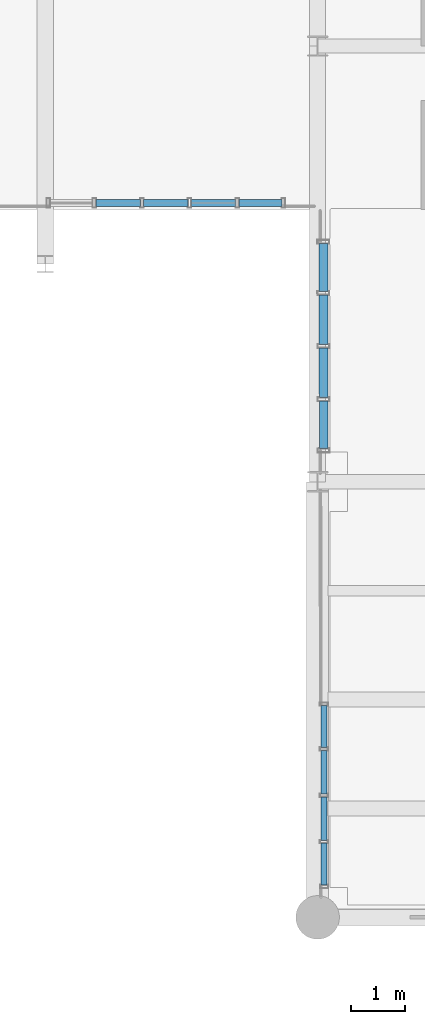
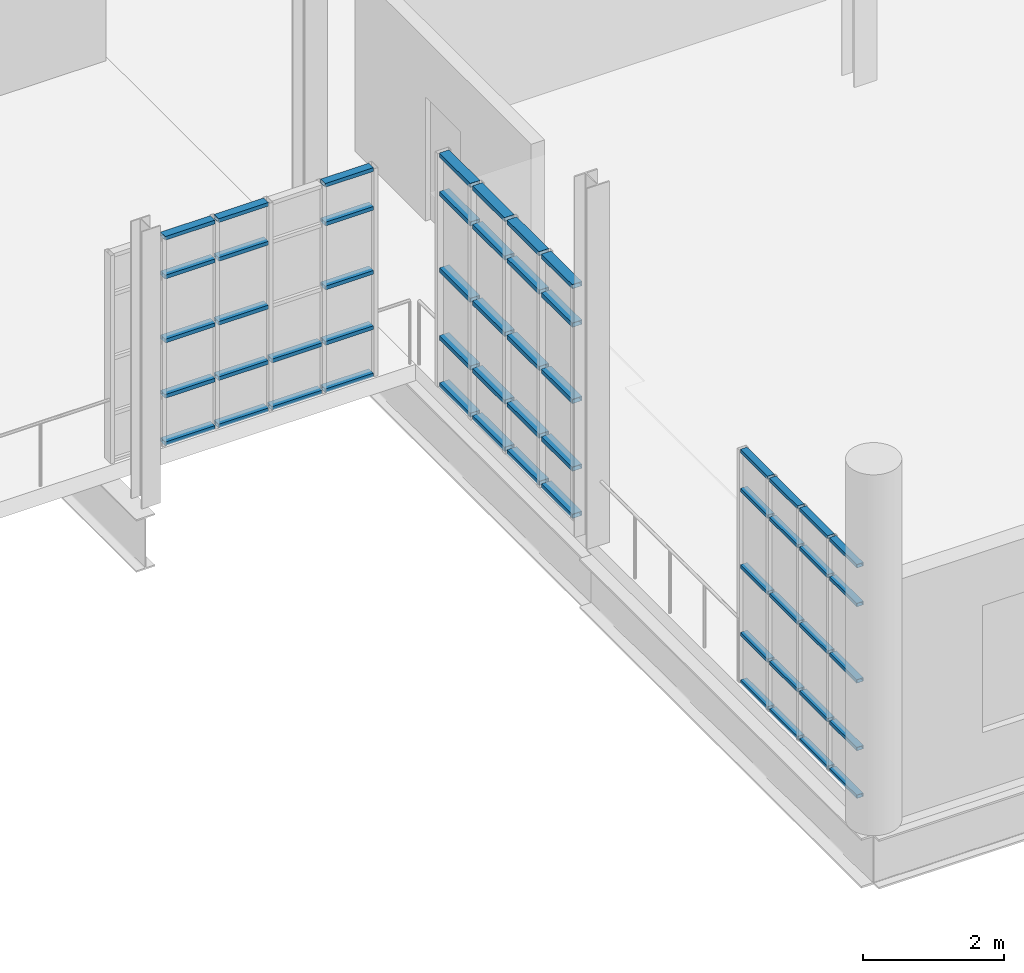
# One storey, part 76 of 118: 57 members, 3 elements without a shape of their own.
"""IFC4 building model written with IfcOpenShell, lengths in metres."""

from ifc_helpers import new_model, si_unit, direction, frame, origin, origin_2d, place, context, subcontext, project, spatial, hollow_rectangle, extrude, material, layer, layer_set, material_profile, profile_set, type_object, element, aggregate, save


model = new_model("IFC4")

# Units and contexts
model_context = context("Model", 3, precision=1e-05, world=origin(), true_north=direction((0.0, 1.0)))
body_context = subcontext(model_context, "Body", "Model", "MODEL_VIEW")
ifc_project = project(units=[si_unit("LENGTHUNIT", "METRE"), si_unit("AREAUNIT", "SQUARE_METRE"), si_unit("VOLUMEUNIT", "CUBIC_METRE"), si_unit("PLANEANGLEUNIT", "RADIAN"), si_unit("MASSUNIT", "GRAM", prefix="KILO"), si_unit("THERMODYNAMICTEMPERATUREUNIT", "KELVIN"), si_unit("POWERUNIT", "WATT")], contexts=[model_context])

# Site, building, storey
site_placement = place(None, origin())
site = spatial("IfcSite", under=ifc_project, at=site_placement, CompositionType="ELEMENT")
building_placement = place(site_placement, origin())
building = spatial("IfcBuilding", under=site, at=building_placement, Name="Zelmaris Science Centre", CompositionType="ELEMENT")
storey_placement = place(building_placement, frame((0.0, 0.0, 15.60009765625)))
storey = spatial("IfcBuildingStorey", under=building, at=storey_placement, Name="L03", CompositionType="ELEMENT", Elevation=15.60009765625)

# Curtain wall, members
ifc_material = material(Name="Anodised architectural aluminium 6063-T6", Category="aluminium")
ifc_layer_1 = layer(ifc_material, 0.219970703125, Name="Anodised architectural aluminium 6063-T6")
ifc_layer_set_1 = layer_set([ifc_layer_1], Name="Anodised architectural aluminium 6063-T6")
curtain_wall_type_1 = type_object("IfcCurtainWallType", Name="Curtain Wall CW-04", PredefinedType="USERDEFINED", material=ifc_layer_set_1)
curtain_wall_1_placement = place(storey_placement, origin())
curtain_wall_1 = element("IfcCurtainWall", 1, at=curtain_wall_1_placement, inside=storey, type_object=curtain_wall_type_1, Name="L03 Unitised curtain wall 308", ObjectType="GLAZED CURTAIN WALL", PredefinedType="USERDEFINED")
ifc_material_profile_1 = material_profile(ifc_material, hollow_rectangle(XDim=0.06005859375, YDim=0.110107421875, WallThickness=0.0029296875, at=origin_2d()), Name="ALU-TRN-60X110")
ifc_profile_set_1 = profile_set([ifc_material_profile_1], Name="Anodised architectural aluminium 6063-T6")
member_type_1 = type_object("IfcMemberType", Name="ALU-TRN-60X110", PredefinedType="USERDEFINED", material=ifc_profile_set_1)
member_1_placement = place(storey_placement, frame((108.119384765625, 8.59228515625, 0.010986328125), z_axis=(-0.000948766176, 0.999999549921, 0.0), x_axis=(0.0, 0.0, 1.0)))
member_1 = element("IfcMember", 2, at=member_1_placement, type_object=member_type_1, Name="CW-04 transom 1.1", ObjectType="TRANSOM", PredefinedType="USERDEFINED", context=body_context, shape_type="SweptSolid", body=[
    extrude(hollow_rectangle(XDim=0.06005859375, YDim=0.110107421875, WallThickness=0.0029296875, at=origin_2d()), origin(), (0.0, 0.0, 1.0), 0.77197265625),
])
member_2_placement = place(storey_placement, frame((108.119384765625, 8.59228515625, 0.8349609375), z_axis=(-0.000948766176, 0.999999549921, 0.0), x_axis=(0.0, 0.0, 1.0)))
member_2 = element("IfcMember", 3, at=member_2_placement, type_object=member_type_1, Name="CW-04 transom 1.2", ObjectType="TRANSOM", PredefinedType="USERDEFINED", context=body_context, shape_type="SweptSolid", body=[
    extrude(hollow_rectangle(XDim=0.06005859375, YDim=0.110107421875, WallThickness=0.0029296875, at=origin_2d()), origin(), (0.0, 0.0, 1.0), 0.77197265625),
])
member_3_placement = place(storey_placement, frame((108.119384765625, 8.59228515625, 2.00732421875), z_axis=(-0.000948766176, 0.999999549921, 0.0), x_axis=(0.0, 0.0, 1.0)))
member_3 = element("IfcMember", 4, at=member_3_placement, type_object=member_type_1, Name="CW-04 transom 1.3", ObjectType="TRANSOM", PredefinedType="USERDEFINED", context=body_context, shape_type="SweptSolid", body=[
    extrude(hollow_rectangle(XDim=0.06005859375, YDim=0.110107421875, WallThickness=0.0029296875, at=origin_2d()), origin(), (0.0, 0.0, 1.0), 0.77197265625),
])
member_4_placement = place(storey_placement, frame((108.119384765625, 8.59228515625, 3.329833984375), z_axis=(-0.000948766176, 0.999999549921, 0.0), x_axis=(0.0, 0.0, 1.0)))
member_4 = element("IfcMember", 5, at=member_4_placement, type_object=member_type_1, Name="CW-04 transom 1.4", ObjectType="TRANSOM", PredefinedType="USERDEFINED", context=body_context, shape_type="SweptSolid", body=[
    extrude(hollow_rectangle(XDim=0.06005859375, YDim=0.110107421875, WallThickness=0.0029296875, at=origin_2d()), origin(), (0.0, 0.0, 1.0), 0.77197265625),
])
member_5_placement = place(storey_placement, frame((108.119384765625, 8.59228515625, 4.00390625), z_axis=(-0.000948766176, 0.999999549921, 0.0), x_axis=(0.0, 0.0, 1.0)))
member_5 = element("IfcMember", 6, at=member_5_placement, type_object=member_type_1, Name="CW-04 transom 1.5", ObjectType="TRANSOM", PredefinedType="USERDEFINED", context=body_context, shape_type="SweptSolid", body=[
    extrude(hollow_rectangle(XDim=0.06005859375, YDim=0.110107421875, WallThickness=0.0029296875, at=origin_2d()), origin(), (0.0, 0.0, 1.0), 0.77197265625),
])
member_6_placement = place(storey_placement, frame((108.11865234375, 9.416259765625, 0.010986328125), z_axis=(-0.001223989291, 0.999999250925, 0.0), x_axis=(0.0, 0.0, 1.0)))
member_6 = element("IfcMember", 7, at=member_6_placement, type_object=member_type_1, Name="CW-04 transom 2.1", ObjectType="TRANSOM", PredefinedType="USERDEFINED", context=body_context, shape_type="SweptSolid", body=[
    extrude(hollow_rectangle(XDim=0.06005859375, YDim=0.110107421875, WallThickness=0.0029296875, at=origin_2d()), origin(), (0.0, 0.0, 1.0), 0.7978515625),
])
member_7_placement = place(storey_placement, frame((108.11865234375, 9.416259765625, 0.8349609375), z_axis=(-0.001223989291, 0.999999250925, 0.0), x_axis=(0.0, 0.0, 1.0)))
member_7 = element("IfcMember", 8, at=member_7_placement, type_object=member_type_1, Name="CW-04 transom 2.2", ObjectType="TRANSOM", PredefinedType="USERDEFINED", context=body_context, shape_type="SweptSolid", body=[
    extrude(hollow_rectangle(XDim=0.06005859375, YDim=0.110107421875, WallThickness=0.0029296875, at=origin_2d()), origin(), (0.0, 0.0, 1.0), 0.7978515625),
])
member_8_placement = place(storey_placement, frame((108.11865234375, 9.416259765625, 2.00732421875), z_axis=(-0.001223989291, 0.999999250925, 0.0), x_axis=(0.0, 0.0, 1.0)))
member_8 = element("IfcMember", 9, at=member_8_placement, type_object=member_type_1, Name="CW-04 transom 2.3", ObjectType="TRANSOM", PredefinedType="USERDEFINED", context=body_context, shape_type="SweptSolid", body=[
    extrude(hollow_rectangle(XDim=0.06005859375, YDim=0.110107421875, WallThickness=0.0029296875, at=origin_2d()), origin(), (0.0, 0.0, 1.0), 0.7978515625),
])
member_9_placement = place(storey_placement, frame((108.11865234375, 9.416259765625, 3.329833984375), z_axis=(-0.001223989291, 0.999999250925, 0.0), x_axis=(0.0, 0.0, 1.0)))
member_9 = element("IfcMember", 10, at=member_9_placement, type_object=member_type_1, Name="CW-04 transom 2.4", ObjectType="TRANSOM", PredefinedType="USERDEFINED", context=body_context, shape_type="SweptSolid", body=[
    extrude(hollow_rectangle(XDim=0.06005859375, YDim=0.110107421875, WallThickness=0.0029296875, at=origin_2d()), origin(), (0.0, 0.0, 1.0), 0.7978515625),
])
member_10_placement = place(storey_placement, frame((108.11865234375, 9.416259765625, 4.00390625), z_axis=(-0.001223989291, 0.999999250925, 0.0), x_axis=(0.0, 0.0, 1.0)))
member_10 = element("IfcMember", 11, at=member_10_placement, type_object=member_type_1, Name="CW-04 transom 2.5", ObjectType="TRANSOM", PredefinedType="USERDEFINED", context=body_context, shape_type="SweptSolid", body=[
    extrude(hollow_rectangle(XDim=0.06005859375, YDim=0.110107421875, WallThickness=0.0029296875, at=origin_2d()), origin(), (0.0, 0.0, 1.0), 0.7978515625),
])
member_11_placement = place(storey_placement, frame((108.11767578125, 10.26611328125, 0.010986328125), z_axis=(-0.000917711452, 0.999999578903, 0.0), x_axis=(0.0, 0.0, 1.0)))
member_11 = element("IfcMember", 12, at=member_11_placement, type_object=member_type_1, Name="CW-04 transom 3.1", ObjectType="TRANSOM", PredefinedType="USERDEFINED", context=body_context, shape_type="SweptSolid", body=[
    extrude(hollow_rectangle(XDim=0.06005859375, YDim=0.110107421875, WallThickness=0.0029296875, at=origin_2d()), origin(), (0.0, 0.0, 1.0), 0.798095703125),
])
member_12_placement = place(storey_placement, frame((108.11767578125, 10.26611328125, 0.8349609375), z_axis=(-0.000917711452, 0.999999578903, 0.0), x_axis=(0.0, 0.0, 1.0)))
member_12 = element("IfcMember", 13, at=member_12_placement, type_object=member_type_1, Name="CW-04 transom 3.2", ObjectType="TRANSOM", PredefinedType="USERDEFINED", context=body_context, shape_type="SweptSolid", body=[
    extrude(hollow_rectangle(XDim=0.06005859375, YDim=0.110107421875, WallThickness=0.0029296875, at=origin_2d()), origin(), (0.0, 0.0, 1.0), 0.798095703125),
])
member_13_placement = place(storey_placement, frame((108.11767578125, 10.26611328125, 2.00732421875), z_axis=(-0.000917711452, 0.999999578903, 0.0), x_axis=(0.0, 0.0, 1.0)))
member_13 = element("IfcMember", 14, at=member_13_placement, type_object=member_type_1, Name="CW-04 transom 3.3", ObjectType="TRANSOM", PredefinedType="USERDEFINED", context=body_context, shape_type="SweptSolid", body=[
    extrude(hollow_rectangle(XDim=0.06005859375, YDim=0.110107421875, WallThickness=0.0029296875, at=origin_2d()), origin(), (0.0, 0.0, 1.0), 0.798095703125),
])
member_14_placement = place(storey_placement, frame((108.11767578125, 10.26611328125, 3.329833984375), z_axis=(-0.000917711452, 0.999999578903, 0.0), x_axis=(0.0, 0.0, 1.0)))
member_14 = element("IfcMember", 15, at=member_14_placement, type_object=member_type_1, Name="CW-04 transom 3.4", ObjectType="TRANSOM", PredefinedType="USERDEFINED", context=body_context, shape_type="SweptSolid", body=[
    extrude(hollow_rectangle(XDim=0.06005859375, YDim=0.110107421875, WallThickness=0.0029296875, at=origin_2d()), origin(), (0.0, 0.0, 1.0), 0.798095703125),
])
member_15_placement = place(storey_placement, frame((108.11767578125, 10.26611328125, 4.00390625), z_axis=(-0.000917711452, 0.999999578903, 0.0), x_axis=(0.0, 0.0, 1.0)))
member_15 = element("IfcMember", 16, at=member_15_placement, type_object=member_type_1, Name="CW-04 transom 3.5", ObjectType="TRANSOM", PredefinedType="USERDEFINED", context=body_context, shape_type="SweptSolid", body=[
    extrude(hollow_rectangle(XDim=0.06005859375, YDim=0.110107421875, WallThickness=0.0029296875, at=origin_2d()), origin(), (0.0, 0.0, 1.0), 0.798095703125),
])
member_16_placement = place(storey_placement, frame((108.11669921875, 11.1162109375, 0.010986328125), z_axis=(-0.000948766176, 0.999999549921, 0.0), x_axis=(0.0, 0.0, 1.0)))
member_16 = element("IfcMember", 17, at=member_16_placement, type_object=member_type_1, Name="CW-04 transom 4.1", ObjectType="TRANSOM", PredefinedType="USERDEFINED", context=body_context, shape_type="SweptSolid", body=[
    extrude(hollow_rectangle(XDim=0.06005859375, YDim=0.110107421875, WallThickness=0.0029296875, at=origin_2d()), origin(), (0.0, 0.0, 1.0), 0.77197265625),
])
member_17_placement = place(storey_placement, frame((108.11669921875, 11.1162109375, 0.8349609375), z_axis=(-0.000948766176, 0.999999549921, 0.0), x_axis=(0.0, 0.0, 1.0)))
member_17 = element("IfcMember", 18, at=member_17_placement, type_object=member_type_1, Name="CW-04 transom 4.2", ObjectType="TRANSOM", PredefinedType="USERDEFINED", context=body_context, shape_type="SweptSolid", body=[
    extrude(hollow_rectangle(XDim=0.06005859375, YDim=0.110107421875, WallThickness=0.0029296875, at=origin_2d()), origin(), (0.0, 0.0, 1.0), 0.77197265625),
])
member_18_placement = place(storey_placement, frame((108.11669921875, 11.1162109375, 2.00732421875), z_axis=(-0.000948766176, 0.999999549921, 0.0), x_axis=(0.0, 0.0, 1.0)))
member_18 = element("IfcMember", 19, at=member_18_placement, type_object=member_type_1, Name="CW-04 transom 4.3", ObjectType="TRANSOM", PredefinedType="USERDEFINED", context=body_context, shape_type="SweptSolid", body=[
    extrude(hollow_rectangle(XDim=0.06005859375, YDim=0.110107421875, WallThickness=0.0029296875, at=origin_2d()), origin(), (0.0, 0.0, 1.0), 0.77197265625),
])
member_19_placement = place(storey_placement, frame((108.11669921875, 11.1162109375, 3.329833984375), z_axis=(-0.000948766176, 0.999999549921, 0.0), x_axis=(0.0, 0.0, 1.0)))
member_19 = element("IfcMember", 20, at=member_19_placement, type_object=member_type_1, Name="CW-04 transom 4.4", ObjectType="TRANSOM", PredefinedType="USERDEFINED", context=body_context, shape_type="SweptSolid", body=[
    extrude(hollow_rectangle(XDim=0.06005859375, YDim=0.110107421875, WallThickness=0.0029296875, at=origin_2d()), origin(), (0.0, 0.0, 1.0), 0.77197265625),
])
member_20_placement = place(storey_placement, frame((108.11669921875, 11.1162109375, 4.00390625), z_axis=(-0.000948766176, 0.999999549921, 0.0), x_axis=(0.0, 0.0, 1.0)))
member_20 = element("IfcMember", 21, at=member_20_placement, type_object=member_type_1, Name="CW-04 transom 4.5", ObjectType="TRANSOM", PredefinedType="USERDEFINED", context=body_context, shape_type="SweptSolid", body=[
    extrude(hollow_rectangle(XDim=0.06005859375, YDim=0.110107421875, WallThickness=0.0029296875, at=origin_2d()), origin(), (0.0, 0.0, 1.0), 0.77197265625),
])
aggregate(curtain_wall_1, [member_1, member_2, member_3, member_4, member_5, member_6, member_7, member_8, member_9, member_10, member_11, member_12, member_13, member_14, member_15, member_16, member_17, member_18, member_19, member_20])

ifc_layer_2 = layer(ifc_material, 0.2099609375, Name="Anodised architectural aluminium 6063-T6")
ifc_layer_set_2 = layer_set([ifc_layer_2], Name="Anodised architectural aluminium 6063-T6")
curtain_wall_type_2 = type_object("IfcCurtainWallType", Name="Curtain Wall CW-03", PredefinedType="USERDEFINED", material=ifc_layer_set_2)
curtain_wall_2_placement = place(storey_placement, origin())
curtain_wall_2 = element("IfcCurtainWall", 22, at=curtain_wall_2_placement, inside=storey, type_object=curtain_wall_type_2, Name="L03 Unitised curtain wall 311", ObjectType="GLAZED CURTAIN WALL", PredefinedType="USERDEFINED")
ifc_material_profile_2 = material_profile(ifc_material, hollow_rectangle(XDim=0.06494140625, YDim=0.1298828125, WallThickness=0.00341796875, at=origin_2d()), Name="ALU-TRN-65X130")
ifc_profile_set_2 = profile_set([ifc_material_profile_2], Name="Anodised architectural aluminium 6063-T6")
member_type_2 = type_object("IfcMemberType", Name="ALU-TRN-65X130", PredefinedType="USERDEFINED", material=ifc_profile_set_2)
member_21_placement = place(storey_placement, frame((107.343017578125, 21.1201171875, 0.013427734375), z_axis=(-1.0, 0.0, 0.0), x_axis=(0.0, 0.0, 1.0)))
member_21 = element("IfcMember", 23, at=member_21_placement, type_object=member_type_2, Name="CW-03 transom 1.1", ObjectType="TRANSOM", PredefinedType="USERDEFINED", context=body_context, shape_type="SweptSolid", body=[
    extrude(hollow_rectangle(XDim=0.06494140625, YDim=0.1298828125, WallThickness=0.00341796875, at=origin_2d()), origin(), (0.0, 0.0, 1.0), 0.7890625),
])
member_22_placement = place(storey_placement, frame((107.343017578125, 21.1201171875, 0.8349609375), z_axis=(-1.0, 0.0, 0.0), x_axis=(0.0, 0.0, 1.0)))
member_22 = element("IfcMember", 24, at=member_22_placement, type_object=member_type_2, Name="CW-03 transom 1.2", ObjectType="TRANSOM", PredefinedType="USERDEFINED", context=body_context, shape_type="SweptSolid", body=[
    extrude(hollow_rectangle(XDim=0.06494140625, YDim=0.1298828125, WallThickness=0.00341796875, at=origin_2d()), origin(), (0.0, 0.0, 1.0), 0.7890625),
])
member_23_placement = place(storey_placement, frame((107.343017578125, 21.1201171875, 1.79296875), z_axis=(-1.0, 0.0, 0.0), x_axis=(0.0, 0.0, 1.0)))
member_23 = element("IfcMember", 25, at=member_23_placement, type_object=member_type_2, Name="CW-03 transom 1.3", ObjectType="TRANSOM", PredefinedType="USERDEFINED", context=body_context, shape_type="SweptSolid", body=[
    extrude(hollow_rectangle(XDim=0.06494140625, YDim=0.1298828125, WallThickness=0.00341796875, at=origin_2d()), origin(), (0.0, 0.0, 1.0), 0.7890625),
])
member_24_placement = place(storey_placement, frame((107.343017578125, 21.1201171875, 2.90087890625), z_axis=(-1.0, 0.0, 0.0), x_axis=(0.0, 0.0, 1.0)))
member_24 = element("IfcMember", 26, at=member_24_placement, type_object=member_type_2, Name="CW-03 transom 1.4", ObjectType="TRANSOM", PredefinedType="USERDEFINED", context=body_context, shape_type="SweptSolid", body=[
    extrude(hollow_rectangle(XDim=0.06494140625, YDim=0.1298828125, WallThickness=0.00341796875, at=origin_2d()), origin(), (0.0, 0.0, 1.0), 0.7890625),
])
member_25_placement = place(storey_placement, frame((107.343017578125, 21.1201171875, 3.572509765625), z_axis=(-1.0, 0.0, 0.0), x_axis=(0.0, 0.0, 1.0)))
member_25 = element("IfcMember", 27, at=member_25_placement, type_object=member_type_2, Name="CW-03 transom 1.5", ObjectType="TRANSOM", PredefinedType="USERDEFINED", context=body_context, shape_type="SweptSolid", body=[
    extrude(hollow_rectangle(XDim=0.06494140625, YDim=0.1298828125, WallThickness=0.00341796875, at=origin_2d()), origin(), (0.0, 0.0, 1.0), 0.7890625),
])
member_26_placement = place(storey_placement, frame((106.496826171875, 21.1201171875, 0.013427734375), z_axis=(-1.0, 0.0, 0.0), x_axis=(0.0, 0.0, 1.0)))
member_26 = element("IfcMember", 28, at=member_26_placement, type_object=member_type_2, Name="CW-03 transom 2.1", ObjectType="TRANSOM", PredefinedType="USERDEFINED", context=body_context, shape_type="SweptSolid", body=[
    extrude(hollow_rectangle(XDim=0.06494140625, YDim=0.1298828125, WallThickness=0.00341796875, at=origin_2d()), origin(), (0.0, 0.0, 1.0), 0.817626953125),
])
member_27_placement = place(storey_placement, frame((106.496826171875, 21.1201171875, 0.8349609375), z_axis=(-1.0, 0.0, 0.0), x_axis=(0.0, 0.0, 1.0)))
member_27 = element("IfcMember", 29, at=member_27_placement, type_object=member_type_2, Name="CW-03 transom 2.2", ObjectType="TRANSOM", PredefinedType="USERDEFINED", context=body_context, shape_type="SweptSolid", body=[
    extrude(hollow_rectangle(XDim=0.06494140625, YDim=0.1298828125, WallThickness=0.00341796875, at=origin_2d()), origin(), (0.0, 0.0, 1.0), 0.817626953125),
])
member_28_placement = place(storey_placement, frame((105.6220703125, 21.1201171875, 0.013427734375), z_axis=(-1.0, 0.0, 0.0), x_axis=(0.0, 0.0, 1.0)))
member_28 = element("IfcMember", 30, at=member_28_placement, type_object=member_type_2, Name="CW-03 transom 3.1", ObjectType="TRANSOM", PredefinedType="USERDEFINED", context=body_context, shape_type="SweptSolid", body=[
    extrude(hollow_rectangle(XDim=0.06494140625, YDim=0.1298828125, WallThickness=0.00341796875, at=origin_2d()), origin(), (0.0, 0.0, 1.0), 0.817626953125),
])
member_29_placement = place(storey_placement, frame((105.6220703125, 21.1201171875, 0.8349609375), z_axis=(-1.0, 0.0, 0.0), x_axis=(0.0, 0.0, 1.0)))
member_29 = element("IfcMember", 31, at=member_29_placement, type_object=member_type_2, Name="CW-03 transom 3.2", ObjectType="TRANSOM", PredefinedType="USERDEFINED", context=body_context, shape_type="SweptSolid", body=[
    extrude(hollow_rectangle(XDim=0.06494140625, YDim=0.1298828125, WallThickness=0.00341796875, at=origin_2d()), origin(), (0.0, 0.0, 1.0), 0.817626953125),
])
member_30_placement = place(storey_placement, frame((105.6220703125, 21.1201171875, 1.79296875), z_axis=(-1.0, 0.0, 0.0), x_axis=(0.0, 0.0, 1.0)))
member_30 = element("IfcMember", 32, at=member_30_placement, type_object=member_type_2, Name="CW-03 transom 3.3", ObjectType="TRANSOM", PredefinedType="USERDEFINED", context=body_context, shape_type="SweptSolid", body=[
    extrude(hollow_rectangle(XDim=0.06494140625, YDim=0.1298828125, WallThickness=0.00341796875, at=origin_2d()), origin(), (0.0, 0.0, 1.0), 0.817626953125),
])
member_31_placement = place(storey_placement, frame((105.6220703125, 21.1201171875, 2.90087890625), z_axis=(-1.0, 0.0, 0.0), x_axis=(0.0, 0.0, 1.0)))
member_31 = element("IfcMember", 33, at=member_31_placement, type_object=member_type_2, Name="CW-03 transom 3.4", ObjectType="TRANSOM", PredefinedType="USERDEFINED", context=body_context, shape_type="SweptSolid", body=[
    extrude(hollow_rectangle(XDim=0.06494140625, YDim=0.1298828125, WallThickness=0.00341796875, at=origin_2d()), origin(), (0.0, 0.0, 1.0), 0.817626953125),
])
member_32_placement = place(storey_placement, frame((105.6220703125, 21.1201171875, 3.572509765625), z_axis=(-1.0, 0.0, 0.0), x_axis=(0.0, 0.0, 1.0)))
member_32 = element("IfcMember", 34, at=member_32_placement, type_object=member_type_2, Name="CW-03 transom 3.5", ObjectType="TRANSOM", PredefinedType="USERDEFINED", context=body_context, shape_type="SweptSolid", body=[
    extrude(hollow_rectangle(XDim=0.06494140625, YDim=0.1298828125, WallThickness=0.00341796875, at=origin_2d()), origin(), (0.0, 0.0, 1.0), 0.817626953125),
])
member_33_placement = place(storey_placement, frame((104.74755859375, 21.1201171875, 0.013427734375), z_axis=(-1.0, 0.0, 0.0), x_axis=(0.0, 0.0, 1.0)))
member_33 = element("IfcMember", 35, at=member_33_placement, type_object=member_type_2, Name="CW-03 transom 4.1", ObjectType="TRANSOM", PredefinedType="USERDEFINED", context=body_context, shape_type="SweptSolid", body=[
    extrude(hollow_rectangle(XDim=0.06494140625, YDim=0.1298828125, WallThickness=0.00341796875, at=origin_2d()), origin(), (0.0, 0.0, 1.0), 0.817626953125),
])
member_34_placement = place(storey_placement, frame((104.74755859375, 21.1201171875, 0.8349609375), z_axis=(-1.0, 0.0, 0.0), x_axis=(0.0, 0.0, 1.0)))
member_34 = element("IfcMember", 36, at=member_34_placement, type_object=member_type_2, Name="CW-03 transom 4.2", ObjectType="TRANSOM", PredefinedType="USERDEFINED", context=body_context, shape_type="SweptSolid", body=[
    extrude(hollow_rectangle(XDim=0.06494140625, YDim=0.1298828125, WallThickness=0.00341796875, at=origin_2d()), origin(), (0.0, 0.0, 1.0), 0.817626953125),
])
member_35_placement = place(storey_placement, frame((104.74755859375, 21.1201171875, 1.79296875), z_axis=(-1.0, 0.0, 0.0), x_axis=(0.0, 0.0, 1.0)))
member_35 = element("IfcMember", 37, at=member_35_placement, type_object=member_type_2, Name="CW-03 transom 4.3", ObjectType="TRANSOM", PredefinedType="USERDEFINED", context=body_context, shape_type="SweptSolid", body=[
    extrude(hollow_rectangle(XDim=0.06494140625, YDim=0.1298828125, WallThickness=0.00341796875, at=origin_2d()), origin(), (0.0, 0.0, 1.0), 0.817626953125),
])
member_36_placement = place(storey_placement, frame((104.74755859375, 21.1201171875, 2.90087890625), z_axis=(-1.0, 0.0, 0.0), x_axis=(0.0, 0.0, 1.0)))
member_36 = element("IfcMember", 38, at=member_36_placement, type_object=member_type_2, Name="CW-03 transom 4.4", ObjectType="TRANSOM", PredefinedType="USERDEFINED", context=body_context, shape_type="SweptSolid", body=[
    extrude(hollow_rectangle(XDim=0.06494140625, YDim=0.1298828125, WallThickness=0.00341796875, at=origin_2d()), origin(), (0.0, 0.0, 1.0), 0.817626953125),
])
member_37_placement = place(storey_placement, frame((104.74755859375, 21.1201171875, 3.572509765625), z_axis=(-1.0, 0.0, 0.0), x_axis=(0.0, 0.0, 1.0)))
member_37 = element("IfcMember", 39, at=member_37_placement, type_object=member_type_2, Name="CW-03 transom 4.5", ObjectType="TRANSOM", PredefinedType="USERDEFINED", context=body_context, shape_type="SweptSolid", body=[
    extrude(hollow_rectangle(XDim=0.06494140625, YDim=0.1298828125, WallThickness=0.00341796875, at=origin_2d()), origin(), (0.0, 0.0, 1.0), 0.817626953125),
])
aggregate(curtain_wall_2, [member_21, member_22, member_23, member_24, member_25, member_26, member_27, member_28, member_29, member_30, member_31, member_32, member_33, member_34, member_35, member_36, member_37])

ifc_layer_3 = layer(ifc_material, 0.199951171875, Name="Anodised architectural aluminium 6063-T6")
ifc_layer_set_3 = layer_set([ifc_layer_3], Name="Anodised architectural aluminium 6063-T6")
curtain_wall_type_3 = type_object("IfcCurtainWallType", Name="Curtain Wall CW-02", PredefinedType="USERDEFINED", material=ifc_layer_set_3)
curtain_wall_3_placement = place(storey_placement, origin())
curtain_wall_3 = element("IfcCurtainWall", 40, at=curtain_wall_3_placement, inside=storey, type_object=curtain_wall_type_3, Name="L03 Unitised curtain wall 310", ObjectType="GLAZED CURTAIN WALL", PredefinedType="USERDEFINED")
ifc_material_profile_3 = material_profile(ifc_material, hollow_rectangle(XDim=0.074951171875, YDim=0.159912109375, WallThickness=0.00390625, at=origin_2d()), Name="ALU-TRN-75X160")
ifc_profile_set_3 = profile_set([ifc_material_profile_3], Name="Anodised architectural aluminium 6063-T6")
member_type_3 = type_object("IfcMemberType", Name="ALU-TRN-75X160", PredefinedType="USERDEFINED", material=ifc_profile_set_3)
member_38_placement = place(storey_placement, frame((108.111083984375, 16.607177734375, 0.018310546875), z_axis=(-0.001117317738, 0.9999993758, 0.0), x_axis=(0.0, 0.0, 1.0)))
member_38 = element("IfcMember", 41, at=member_38_placement, type_object=member_type_3, Name="CW-02 transom 1.1", ObjectType="TRANSOM", PredefinedType="USERDEFINED", context=body_context, shape_type="SweptSolid", body=[
    extrude(hollow_rectangle(XDim=0.074951171875, YDim=0.159912109375, WallThickness=0.00390625, at=origin_2d()), origin(), (0.0, 0.0, 1.0), 0.8740234375),
])
member_39_placement = place(storey_placement, frame((108.111083984375, 16.607177734375, 0.8349609375), z_axis=(-0.001117317738, 0.9999993758, 0.0), x_axis=(0.0, 0.0, 1.0)))
member_39 = element("IfcMember", 42, at=member_39_placement, type_object=member_type_3, Name="CW-02 transom 1.2", ObjectType="TRANSOM", PredefinedType="USERDEFINED", context=body_context, shape_type="SweptSolid", body=[
    extrude(hollow_rectangle(XDim=0.074951171875, YDim=0.159912109375, WallThickness=0.00390625, at=origin_2d()), origin(), (0.0, 0.0, 1.0), 0.8740234375),
])
member_40_placement = place(storey_placement, frame((108.111083984375, 16.607177734375, 2.00732421875), z_axis=(-0.001117317738, 0.9999993758, 0.0), x_axis=(0.0, 0.0, 1.0)))
member_40 = element("IfcMember", 43, at=member_40_placement, type_object=member_type_3, Name="CW-02 transom 1.3", ObjectType="TRANSOM", PredefinedType="USERDEFINED", context=body_context, shape_type="SweptSolid", body=[
    extrude(hollow_rectangle(XDim=0.074951171875, YDim=0.159912109375, WallThickness=0.00390625, at=origin_2d()), origin(), (0.0, 0.0, 1.0), 0.8740234375),
])
member_41_placement = place(storey_placement, frame((108.111083984375, 16.607177734375, 3.329833984375), z_axis=(-0.001117317738, 0.9999993758, 0.0), x_axis=(0.0, 0.0, 1.0)))
member_41 = element("IfcMember", 44, at=member_41_placement, type_object=member_type_3, Name="CW-02 transom 1.4", ObjectType="TRANSOM", PredefinedType="USERDEFINED", context=body_context, shape_type="SweptSolid", body=[
    extrude(hollow_rectangle(XDim=0.074951171875, YDim=0.159912109375, WallThickness=0.00390625, at=origin_2d()), origin(), (0.0, 0.0, 1.0), 0.8740234375),
])
member_42_placement = place(storey_placement, frame((108.111083984375, 16.607177734375, 3.996337890625), z_axis=(-0.001117317738, 0.9999993758, 0.0), x_axis=(0.0, 0.0, 1.0)))
member_42 = element("IfcMember", 45, at=member_42_placement, type_object=member_type_3, Name="CW-02 transom 1.5", ObjectType="TRANSOM", PredefinedType="USERDEFINED", context=body_context, shape_type="SweptSolid", body=[
    extrude(hollow_rectangle(XDim=0.074951171875, YDim=0.159912109375, WallThickness=0.00390625, at=origin_2d()), origin(), (0.0, 0.0, 1.0), 0.8740234375),
])
member_43_placement = place(storey_placement, frame((108.110107421875, 17.548095703125, 0.018310546875), z_axis=(-0.001076136046, 0.999999420965, 0.0), x_axis=(0.0, 0.0, 1.0)))
member_43 = element("IfcMember", 46, at=member_43_placement, type_object=member_type_3, Name="CW-02 transom 2.1", ObjectType="TRANSOM", PredefinedType="USERDEFINED", context=body_context, shape_type="SweptSolid", body=[
    extrude(hollow_rectangle(XDim=0.074951171875, YDim=0.159912109375, WallThickness=0.00390625, at=origin_2d()), origin(), (0.0, 0.0, 1.0), 0.907470703125),
])
member_44_placement = place(storey_placement, frame((108.110107421875, 17.548095703125, 0.8349609375), z_axis=(-0.001076136046, 0.999999420965, 0.0), x_axis=(0.0, 0.0, 1.0)))
member_44 = element("IfcMember", 47, at=member_44_placement, type_object=member_type_3, Name="CW-02 transom 2.2", ObjectType="TRANSOM", PredefinedType="USERDEFINED", context=body_context, shape_type="SweptSolid", body=[
    extrude(hollow_rectangle(XDim=0.074951171875, YDim=0.159912109375, WallThickness=0.00390625, at=origin_2d()), origin(), (0.0, 0.0, 1.0), 0.907470703125),
])
member_45_placement = place(storey_placement, frame((108.110107421875, 17.548095703125, 2.00732421875), z_axis=(-0.001076136046, 0.999999420965, 0.0), x_axis=(0.0, 0.0, 1.0)))
member_45 = element("IfcMember", 48, at=member_45_placement, type_object=member_type_3, Name="CW-02 transom 2.3", ObjectType="TRANSOM", PredefinedType="USERDEFINED", context=body_context, shape_type="SweptSolid", body=[
    extrude(hollow_rectangle(XDim=0.074951171875, YDim=0.159912109375, WallThickness=0.00390625, at=origin_2d()), origin(), (0.0, 0.0, 1.0), 0.907470703125),
])
member_46_placement = place(storey_placement, frame((108.110107421875, 17.548095703125, 3.329833984375), z_axis=(-0.001076136046, 0.999999420965, 0.0), x_axis=(0.0, 0.0, 1.0)))
member_46 = element("IfcMember", 49, at=member_46_placement, type_object=member_type_3, Name="CW-02 transom 2.4", ObjectType="TRANSOM", PredefinedType="USERDEFINED", context=body_context, shape_type="SweptSolid", body=[
    extrude(hollow_rectangle(XDim=0.074951171875, YDim=0.159912109375, WallThickness=0.00390625, at=origin_2d()), origin(), (0.0, 0.0, 1.0), 0.907470703125),
])
member_47_placement = place(storey_placement, frame((108.110107421875, 17.548095703125, 3.996337890625), z_axis=(-0.001076136046, 0.999999420965, 0.0), x_axis=(0.0, 0.0, 1.0)))
member_47 = element("IfcMember", 50, at=member_47_placement, type_object=member_type_3, Name="CW-02 transom 2.5", ObjectType="TRANSOM", PredefinedType="USERDEFINED", context=body_context, shape_type="SweptSolid", body=[
    extrude(hollow_rectangle(XDim=0.074951171875, YDim=0.159912109375, WallThickness=0.00390625, at=origin_2d()), origin(), (0.0, 0.0, 1.0), 0.907470703125),
])
member_48_placement = place(storey_placement, frame((108.109130859375, 18.522705078125, 0.018310546875), z_axis=(-0.001076136046, 0.999999420965, 0.0), x_axis=(0.0, 0.0, 1.0)))
member_48 = element("IfcMember", 51, at=member_48_placement, type_object=member_type_3, Name="CW-02 transom 3.1", ObjectType="TRANSOM", PredefinedType="USERDEFINED", context=body_context, shape_type="SweptSolid", body=[
    extrude(hollow_rectangle(XDim=0.074951171875, YDim=0.159912109375, WallThickness=0.00390625, at=origin_2d()), origin(), (0.0, 0.0, 1.0), 0.907470703125),
])
member_49_placement = place(storey_placement, frame((108.109130859375, 18.522705078125, 0.8349609375), z_axis=(-0.001076136046, 0.999999420965, 0.0), x_axis=(0.0, 0.0, 1.0)))
member_49 = element("IfcMember", 52, at=member_49_placement, type_object=member_type_3, Name="CW-02 transom 3.2", ObjectType="TRANSOM", PredefinedType="USERDEFINED", context=body_context, shape_type="SweptSolid", body=[
    extrude(hollow_rectangle(XDim=0.074951171875, YDim=0.159912109375, WallThickness=0.00390625, at=origin_2d()), origin(), (0.0, 0.0, 1.0), 0.907470703125),
])
member_50_placement = place(storey_placement, frame((108.109130859375, 18.522705078125, 2.00732421875), z_axis=(-0.001076136046, 0.999999420965, 0.0), x_axis=(0.0, 0.0, 1.0)))
member_50 = element("IfcMember", 53, at=member_50_placement, type_object=member_type_3, Name="CW-02 transom 3.3", ObjectType="TRANSOM", PredefinedType="USERDEFINED", context=body_context, shape_type="SweptSolid", body=[
    extrude(hollow_rectangle(XDim=0.074951171875, YDim=0.159912109375, WallThickness=0.00390625, at=origin_2d()), origin(), (0.0, 0.0, 1.0), 0.907470703125),
])
member_51_placement = place(storey_placement, frame((108.109130859375, 18.522705078125, 3.329833984375), z_axis=(-0.001076136046, 0.999999420965, 0.0), x_axis=(0.0, 0.0, 1.0)))
member_51 = element("IfcMember", 54, at=member_51_placement, type_object=member_type_3, Name="CW-02 transom 3.4", ObjectType="TRANSOM", PredefinedType="USERDEFINED", context=body_context, shape_type="SweptSolid", body=[
    extrude(hollow_rectangle(XDim=0.074951171875, YDim=0.159912109375, WallThickness=0.00390625, at=origin_2d()), origin(), (0.0, 0.0, 1.0), 0.907470703125),
])
member_52_placement = place(storey_placement, frame((108.109130859375, 18.522705078125, 3.996337890625), z_axis=(-0.001076136046, 0.999999420965, 0.0), x_axis=(0.0, 0.0, 1.0)))
member_52 = element("IfcMember", 55, at=member_52_placement, type_object=member_type_3, Name="CW-02 transom 3.5", ObjectType="TRANSOM", PredefinedType="USERDEFINED", context=body_context, shape_type="SweptSolid", body=[
    extrude(hollow_rectangle(XDim=0.074951171875, YDim=0.159912109375, WallThickness=0.00390625, at=origin_2d()), origin(), (0.0, 0.0, 1.0), 0.907470703125),
])
member_53_placement = place(storey_placement, frame((108.10791015625, 19.4970703125, 0.018310546875), z_axis=(-0.000837988533, 0.999999648888, 0.0), x_axis=(0.0, 0.0, 1.0)))
member_53 = element("IfcMember", 56, at=member_53_placement, type_object=member_type_3, Name="CW-02 transom 4.1", ObjectType="TRANSOM", PredefinedType="USERDEFINED", context=body_context, shape_type="SweptSolid", body=[
    extrude(hollow_rectangle(XDim=0.074951171875, YDim=0.159912109375, WallThickness=0.00390625, at=origin_2d()), origin(), (0.0, 0.0, 1.0), 0.8740234375),
])
member_54_placement = place(storey_placement, frame((108.10791015625, 19.4970703125, 0.8349609375), z_axis=(-0.000837988533, 0.999999648888, 0.0), x_axis=(0.0, 0.0, 1.0)))
member_54 = element("IfcMember", 57, at=member_54_placement, type_object=member_type_3, Name="CW-02 transom 4.2", ObjectType="TRANSOM", PredefinedType="USERDEFINED", context=body_context, shape_type="SweptSolid", body=[
    extrude(hollow_rectangle(XDim=0.074951171875, YDim=0.159912109375, WallThickness=0.00390625, at=origin_2d()), origin(), (0.0, 0.0, 1.0), 0.8740234375),
])
member_55_placement = place(storey_placement, frame((108.10791015625, 19.4970703125, 2.00732421875), z_axis=(-0.000837988533, 0.999999648888, 0.0), x_axis=(0.0, 0.0, 1.0)))
member_55 = element("IfcMember", 58, at=member_55_placement, type_object=member_type_3, Name="CW-02 transom 4.3", ObjectType="TRANSOM", PredefinedType="USERDEFINED", context=body_context, shape_type="SweptSolid", body=[
    extrude(hollow_rectangle(XDim=0.074951171875, YDim=0.159912109375, WallThickness=0.00390625, at=origin_2d()), origin(), (0.0, 0.0, 1.0), 0.8740234375),
])
member_56_placement = place(storey_placement, frame((108.10791015625, 19.4970703125, 3.329833984375), z_axis=(-0.000837988533, 0.999999648888, 0.0), x_axis=(0.0, 0.0, 1.0)))
member_56 = element("IfcMember", 59, at=member_56_placement, type_object=member_type_3, Name="CW-02 transom 4.4", ObjectType="TRANSOM", PredefinedType="USERDEFINED", context=body_context, shape_type="SweptSolid", body=[
    extrude(hollow_rectangle(XDim=0.074951171875, YDim=0.159912109375, WallThickness=0.00390625, at=origin_2d()), origin(), (0.0, 0.0, 1.0), 0.8740234375),
])
member_57_placement = place(storey_placement, frame((108.10791015625, 19.4970703125, 3.996337890625), z_axis=(-0.000837988533, 0.999999648888, 0.0), x_axis=(0.0, 0.0, 1.0)))
member_57 = element("IfcMember", 60, at=member_57_placement, type_object=member_type_3, Name="CW-02 transom 4.5", ObjectType="TRANSOM", PredefinedType="USERDEFINED", context=body_context, shape_type="SweptSolid", body=[
    extrude(hollow_rectangle(XDim=0.074951171875, YDim=0.159912109375, WallThickness=0.00390625, at=origin_2d()), origin(), (0.0, 0.0, 1.0), 0.8740234375),
])
aggregate(curtain_wall_3, [member_38, member_39, member_40, member_41, member_42, member_43, member_44, member_45, member_46, member_47, member_48, member_49, member_50, member_51, member_52, member_53, member_54, member_55, member_56, member_57])

save(model, "model.ifc")
